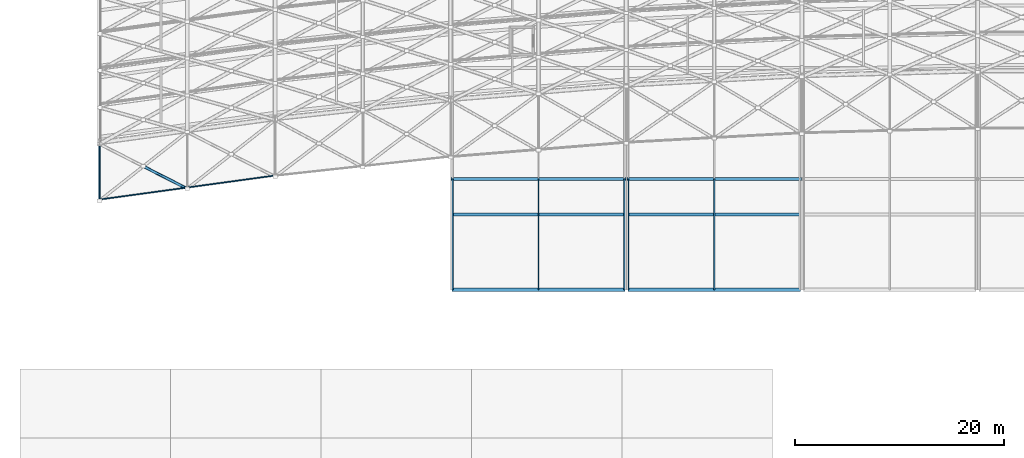
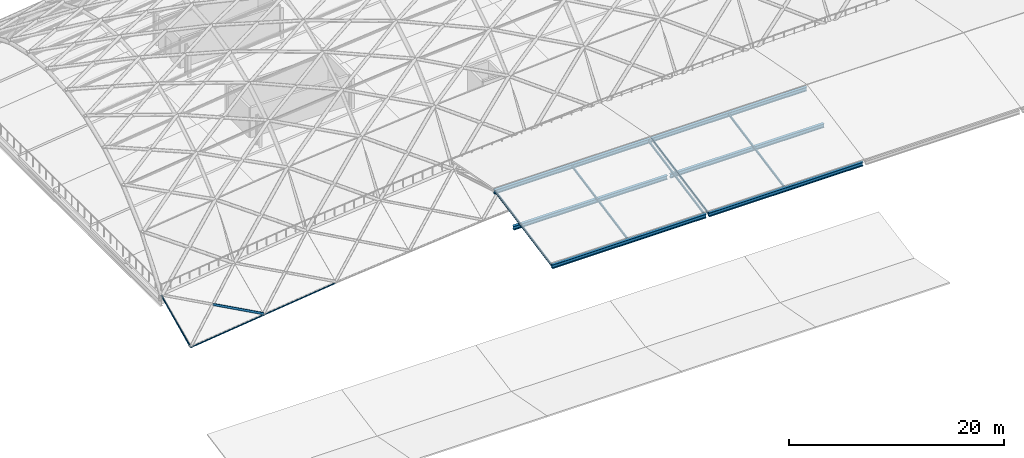
# One storey, part 10 of 100: 9 members, 6 beams.
"""IFC4 building model written with IfcOpenShell, lengths in metres."""

from ifc_helpers import new_model, si_unit, direction, frame, origin, origin_2d, place, context, subcontext, project, spatial, hollow_circle, i_section, extrude, material, material_profile, profile_set, type_object, element, save


model = new_model("IFC4")

# Units and contexts
model_context = context("Model", 3, precision=1e-05, world=origin(), true_north=direction((0.0, 1.0)))
body_context = subcontext(model_context, "Body", "Model", "MODEL_VIEW")
ifc_project = project(units=[si_unit("LENGTHUNIT", "METRE"), si_unit("AREAUNIT", "SQUARE_METRE"), si_unit("VOLUMEUNIT", "CUBIC_METRE"), si_unit("PLANEANGLEUNIT", "RADIAN"), si_unit("MASSUNIT", "GRAM", prefix="KILO")], contexts=[model_context])

# Site, building, storey
site_placement = place(None, origin())
site = spatial("IfcSite", under=ifc_project, at=site_placement, CompositionType="ELEMENT")
building_placement = place(site_placement, origin())
building = spatial("IfcBuilding", under=site, at=building_placement, Name="Kimbaza Rail Terminus", CompositionType="ELEMENT")
storey_placement = place(building_placement, frame((0.0, 0.0, 10.800048828125)))
storey = spatial("IfcBuildingStorey", under=building, at=storey_placement, Name="L02", CompositionType="ELEMENT", Elevation=10.800048828125)

# Beams
ifc_material_1 = material(Name="Steel S355", Category="steel")
ifc_material_profile_1 = material_profile(ifc_material_1, i_section(OverallWidth=0.300048828125, OverallDepth=0.43994140625, WebThickness=0.011474609375, FlangeThickness=0.02099609375, FilletRadius=0.027099609375, at=origin_2d()), Name="HEA 450")
ifc_profile_set_1 = profile_set([ifc_material_profile_1], Name="Steel S355")
beam_type = type_object("IfcBeamType", Name="STR-BM-HEA450", PredefinedType="SPANDREL", material=ifc_profile_set_1)
for number, where, z_axis, x_axis, name in (
    (1, (55.345947265625, 33.800048828125, 0.0), (1.0, 0.0, 0.0), (0.0, 1.0, 0.0), "Beam BM-SKYEDGE-34-0"),
    (2, (72.14599609375, 33.800048828125, 0.0), (1.0, 0.0, 0.0), (0.0, 1.0, 0.0), "Beam BM-SKYEDGE-34-1"),
    (3, (55.345947265625, 41.0, 0.0), (1.0, 0.0, 0.0), (0.0, 1.0, 0.0), "Beam BM-SKYEDGE-41-0"),
    (4, (72.14599609375, 41.0, 0.0), (1.0, 0.0, 0.0), (0.0, 1.0, 0.0), "Beam BM-SKYEDGE-41-1"),
):
    element("IfcBeam", number, at=place(storey_placement, frame(where, z_axis=z_axis, x_axis=x_axis)), inside=storey, type_object=beam_type, Name=name, PredefinedType="SPANDREL", context=body_context, shape_type="SweptSolid", body=[
        extrude(i_section(OverallWidth=0.300048828125, OverallDepth=0.43994140625, WebThickness=0.011474609375, FlangeThickness=0.02099609375, FilletRadius=0.027099609375, at=origin_2d()), origin(), (0.0, 0.0, 1.0), 16.508056640625),
    ])
for number, where, z_axis, x_axis, name in (
    (5, (55.25, 44.39990234375, 2.050048828125), (1.0, 0.0, 0.0), (0.0, 1.0, 0.0), "Beam BM-SKYRIDGE-0"),
    (6, (72.050048828125, 44.39990234375, 2.050048828125), (1.0, 0.0, 0.0), (0.0, 1.0, 0.0), "Beam BM-SKYRIDGE-1"),
):
    element("IfcBeam", number, at=place(storey_placement, frame(where, z_axis=z_axis, x_axis=x_axis)), inside=storey, type_object=beam_type, Name=name, PredefinedType="SPANDREL", context=body_context, shape_type="SweptSolid", body=[
        extrude(i_section(OverallWidth=0.300048828125, OverallDepth=0.43994140625, WebThickness=0.011474609375, FlangeThickness=0.02099609375, FilletRadius=0.027099609375, at=origin_2d()), origin(), (0.0, 0.0, 1.0), 16.699951171875),
    ])

# Members
ifc_material_2 = material(Name="White painted steel S355", Category="steel")
ifc_material_profile_2 = material_profile(ifc_material_2, hollow_circle(Radius=0.06982421875, WallThickness=0.00634765625, at=origin_2d()), Name="CHS 139.7x6.3")
ifc_profile_set_2 = profile_set([ifc_material_profile_2], Name="White painted steel S355")
member_type_1 = type_object("IfcMemberType", Name="STR-MB-CHS139", PredefinedType="COLLAR", material=ifc_profile_set_2)
for number, where, z_axis, x_axis, name in (
    (7, (21.60009765625, 42.433837890625, -2.62744140625), (0.990778928837, 0.135488428186, 0.0), (-0.135488428186, 0.990778928837, 0.0), "Vault lattice longitudinal purlin VR-00-VA00"),
    (8, (30.0, 43.58251953125, -2.62744140625), (0.990775062808, 0.135516696087, 0.0), (-0.135516696087, 0.990775062808, 0.0), "Vault lattice longitudinal purlin VR-01-VA00"),
):
    element("IfcMember", number, at=place(storey_placement, frame(where, z_axis=z_axis, x_axis=x_axis)), inside=storey, type_object=member_type_1, Name=name, PredefinedType="COLLAR", context=body_context, shape_type="SweptSolid", body=[
        extrude(hollow_circle(Radius=0.06982421875, WallThickness=0.00634765625, at=origin_2d()), origin(), (0.0, 0.0, 1.0), 8.47802734375),
    ])
ifc_material_3 = material(Name="White painted steel S355", Category="steel")
ifc_material_profile_3 = material_profile(ifc_material_3, hollow_circle(Radius=0.084228515625, WallThickness=0.00634765625, at=origin_2d()), Name="CHS 168.3x6.3")
ifc_profile_set_3 = profile_set([ifc_material_profile_3], Name="White painted steel S355")
member_type_2 = type_object("IfcMemberType", Name="STR-MB-CHS168", PredefinedType="RAFTER", material=ifc_profile_set_3)
member_1_placement = place(storey_placement, frame((21.60009765625, 42.425537109375, -2.609375), z_axis=(0.0, 0.901963905621, 0.431811432174), x_axis=(-1.0, 0.0, 0.0)))
element("IfcMember", 9, at=member_1_placement, inside=storey, type_object=member_type_2, Name="Vault lattice arch chord VR-00 seg 1", PredefinedType="RAFTER", context=body_context, shape_type="SweptSolid", body=[
    extrude(hollow_circle(Radius=0.084228515625, WallThickness=0.00634765625, at=origin_2d()), origin(), (0.0, 0.0, 1.0), 6.04296875),
])
ifc_material_4 = material(Name="White painted steel S355", Category="steel")
ifc_material_profile_4 = material_profile(ifc_material_4, hollow_circle(Radius=0.136474609375, WallThickness=0.010009765625, at=origin_2d()), Name="CHS 273x10")
ifc_profile_set_4 = profile_set([ifc_material_profile_4], Name="White painted steel S355")
member_type_3 = type_object("IfcMemberType", Name="STR-MB-CHS273", PredefinedType="STRUT", material=ifc_profile_set_4)
member_2_placement = place(storey_placement, frame((30.0, 43.467041015625, -2.37255859375), z_axis=(-0.862477589017, 0.439937269292, 0.250175153705), x_axis=(-0.454386489216, -0.890804646608, 0.0)))
element("IfcMember", 10, at=member_2_placement, inside=storey, type_object=member_type_3, Name="Vault lattice diagonal B1 VR-00-VA00", PredefinedType="STRUT", context=body_context, shape_type="SweptSolid", body=[
    extrude(hollow_circle(Radius=0.136474609375, WallThickness=0.010009765625, at=origin_2d()), origin(), (0.0, 0.0, 1.0), 4.86962890625),
])
ifc_material_5 = material(Name="Steel S355", Category="steel")
ifc_material_profile_5 = material_profile(ifc_material_5, i_section(OverallWidth=0.1201171875, OverallDepth=0.239990234375, WebThickness=0.006103515625, FlangeThickness=0.009765625, FilletRadius=0.014892578125, at=origin_2d()), Name="IPE 240")
ifc_profile_set_5 = profile_set([ifc_material_profile_5], Name="Steel S355")
member_type_4 = type_object("IfcMemberType", Name="STR-MB-IPE240", PredefinedType="PURLIN", material=ifc_profile_set_5)
for number, where, z_axis, x_axis, name in (
    (11, (55.39990234375, 33.800048828125, 0.0), (0.0, 0.981806378317, 0.189884795327), (-1.0, 0.0, 0.0), "Concourse Roof Rafter S1"),
    (12, (63.60009765625, 33.800048828125, 0.0), (0.0, 0.981806378317, 0.189884795327), (-1.0, 0.0, 0.0), "Concourse Roof Rafter S1"),
    (13, (71.800048828125, 33.800048828125, 0.0), (0.0, 0.981806378317, 0.189884795327), (-1.0, 0.0, 0.0), "Concourse Roof Rafter S1"),
    (14, (72.199951171875, 33.800048828125, 0.0), (0.0, 0.981806378317, 0.189884795327), (-1.0, 0.0, 0.0), "Concourse Roof Rafter S2"),
    (15, (80.39990234375, 33.800048828125, 0.0), (0.0, 0.981806378317, 0.189884795327), (-1.0, 0.0, 0.0), "Concourse Roof Rafter S2"),
):
    element("IfcMember", number, at=place(storey_placement, frame(where, z_axis=z_axis, x_axis=x_axis)), inside=storey, type_object=member_type_4, Name=name, PredefinedType="PURLIN", context=body_context, shape_type="SweptSolid", body=[
        extrude(i_section(OverallWidth=0.1201171875, OverallDepth=0.239990234375, WebThickness=0.006103515625, FlangeThickness=0.009765625, FilletRadius=0.014892578125, at=origin_2d()), origin(), (0.0, 0.0, 1.0), 10.79638671875),
    ])

save(model, "model.ifc")
